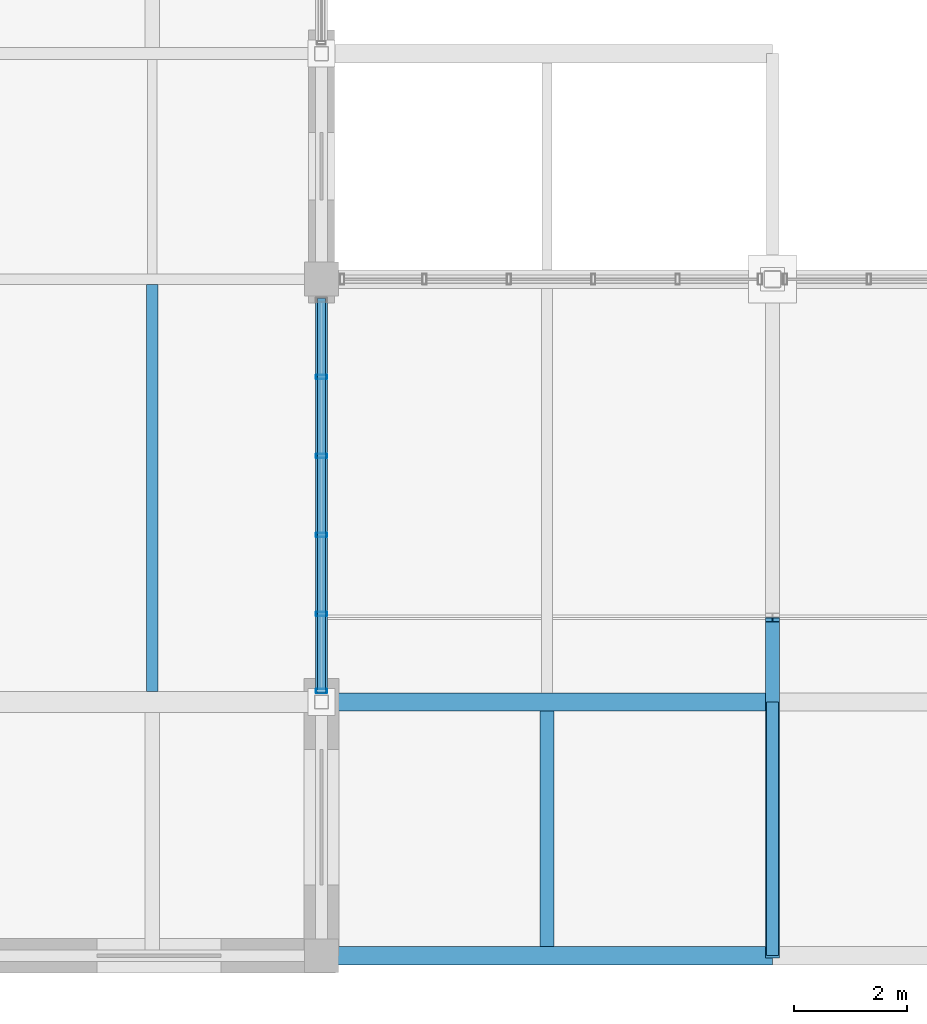
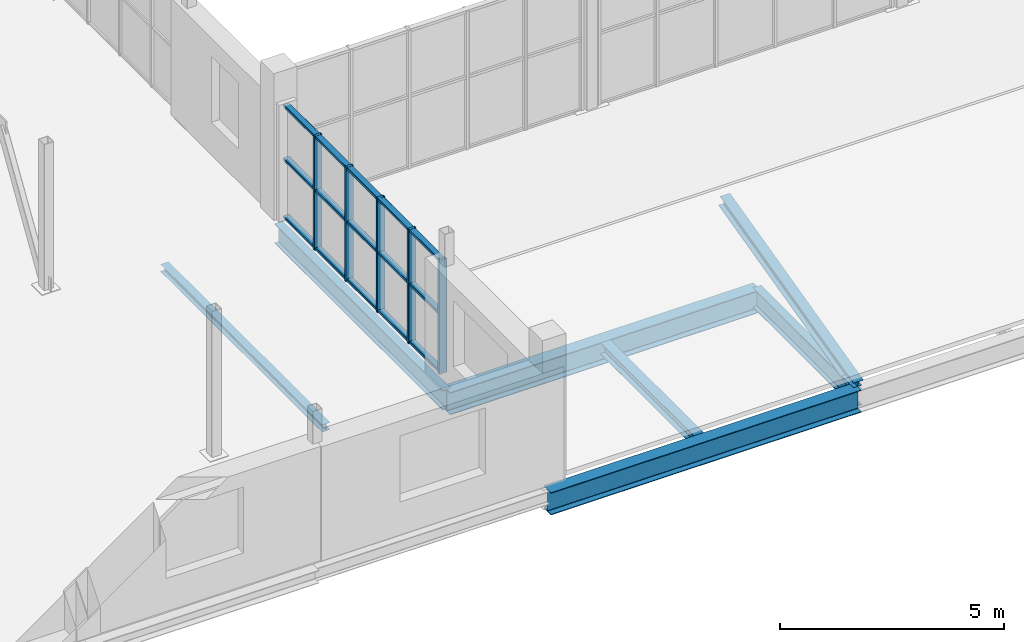
# One storey, part 19 of 96: 9 members, 6 beams, 1 element without a shape of its own.
"""IFC4 building model written with IfcOpenShell, lengths in metres."""

from ifc_helpers import new_model, si_unit, direction, frame, origin, origin_2d, place, context, subcontext, project, spatial, hollow_rectangle, i_section, extrude, material, material_profile, profile_set, type_object, element, aggregate, save


model = new_model("IFC4")

# Units and contexts
model_context = context("Model", 3, precision=1e-05, world=origin(), true_north=direction((0.0, 1.0)))
body_context = subcontext(model_context, "Body", "Model", "MODEL_VIEW")
ifc_project = project(units=[si_unit("LENGTHUNIT", "METRE"), si_unit("AREAUNIT", "SQUARE_METRE"), si_unit("VOLUMEUNIT", "CUBIC_METRE"), si_unit("PLANEANGLEUNIT", "RADIAN"), si_unit("MASSUNIT", "GRAM", prefix="KILO")], contexts=[model_context])

# Site, building, storey
site_placement = place(None, origin())
site = spatial("IfcSite", under=ifc_project, at=site_placement, CompositionType="ELEMENT")
building_placement = place(site_placement, origin())
building = spatial("IfcBuilding", under=site, at=building_placement, Name="Verrall Gate Interchange", CompositionType="ELEMENT")
storey_placement = place(building_placement, frame((0.0, 0.0, 11.39990234375)))
storey = spatial("IfcBuildingStorey", under=building, at=storey_placement, Name="L03", CompositionType="ELEMENT", Elevation=11.39990234375)

# Beams
ifc_material_1 = material(Name="Structural Steel CSA G40.21 350WT Cat 4", Category="steel")
ifc_material_profile_1 = material_profile(ifc_material_1, i_section(OverallWidth=0.323974609375, OverallDepth=0.611083984375, WebThickness=0.0126953125, FlangeThickness=0.01904296875, FilletRadius=0.014892578125, at=origin_2d()), Name="W610x155")
ifc_profile_set_1 = profile_set([ifc_material_profile_1], Name="Structural Steel CSA G40.21 350WT Cat 4")
beam_type_1 = type_object("IfcBeamType", Name="B-08 Structural Beam W610x155", PredefinedType="BEAM", material=ifc_profile_set_1)
for number, where, z_axis, x_axis, name in (
    (1, (36.0, 0.0, -0.635498046875), (1.0, 0.0, 0.0), (0.0, 1.0, 0.0), "L03 Girder BM-L03-1981 (B-08)"),
    (2, (36.0, 4.5, -0.635498046875), (1.0, 0.0, 0.0), (0.0, 1.0, 0.0), "L03 Girder BM-L03-1997 (B-08)"),
):
    element("IfcBeam", number, at=place(storey_placement, frame(where, z_axis=z_axis, x_axis=x_axis)), inside=storey, type_object=beam_type_1, Name=name, PredefinedType="BEAM", context=body_context, shape_type="SweptSolid", body=[
        extrude(i_section(OverallWidth=0.323974609375, OverallDepth=0.611083984375, WebThickness=0.0126953125, FlangeThickness=0.01904296875, FilletRadius=0.014892578125, at=origin_2d()), origin(), (0.0, 0.0, 1.0), 8.0),
    ])
ifc_material_2 = material(Name="Structural Steel CSA G40.21 350W", Category="steel")
ifc_material_profile_2 = material_profile(ifc_material_2, i_section(OverallWidth=0.2109375, OverallDepth=0.5390625, WebThickness=0.01171875, FlangeThickness=0.018798828125, FilletRadius=0.013916015625, at=origin_2d()), Name="W530x109")
ifc_profile_set_2 = profile_set([ifc_material_profile_2], Name="Structural Steel CSA G40.21 350W")
beam_type_2 = type_object("IfcBeamType", Name="B-10 Structural Beam W530x109", PredefinedType="BEAM", material=ifc_profile_set_2)
beam_1_placement = place(storey_placement, frame((36.0, 4.5, -0.599365234375), z_axis=(0.0, 1.0, 0.0), x_axis=(-1.0, 0.0, 0.0)))
element("IfcBeam", 3, at=beam_1_placement, inside=storey, type_object=beam_type_2, Name="L03 Girder BM-L03-2259 (B-10)", PredefinedType="BEAM", context=body_context, shape_type="SweptSolid", body=[
    extrude(i_section(OverallWidth=0.2109375, OverallDepth=0.5390625, WebThickness=0.01171875, FlangeThickness=0.018798828125, FilletRadius=0.013916015625, at=origin_2d()), origin(), (0.0, 0.0, 1.0), 7.5),
])
beam_2_placement = place(storey_placement, frame((44.0, 0.0, -0.599365234375), z_axis=(0.0, 1.0, 0.0), x_axis=(-1.0, 0.0, 0.0)))
element("IfcBeam", 4, at=beam_2_placement, inside=storey, type_object=beam_type_2, Name="L03 Girder BM-L03-2272 (B-10)", PredefinedType="BEAM", context=body_context, shape_type="SweptSolid", body=[
    extrude(i_section(OverallWidth=0.2109375, OverallDepth=0.5390625, WebThickness=0.01171875, FlangeThickness=0.018798828125, FilletRadius=0.013916015625, at=origin_2d()), origin(), (0.0, 0.0, 1.0), 4.5),
])

# Curtain wall, members
ifc_material_3 = material(Name="Thermally Broken Anodized Aluminium Curtain Wall Framing", Category="aluminium")
curtain_wall_type = type_object("IfcCurtainWallType", Name="CW-30 Unitized Curtain Wall 7009x3110", PredefinedType="NOTDEFINED", material=ifc_material_3)
curtain_wall_placement = place(storey_placement, origin())
curtain_wall = element("IfcCurtainWall", 5, at=curtain_wall_placement, inside=storey, type_object=curtain_wall_type, Name="L03 Unitized Curtain Wall CW-L03-103", PredefinedType="NOTDEFINED")
ifc_material_4 = material(Name="Thermally Broken Anodized Aluminium Curtain Wall Framing", Category="aluminium")
ifc_material_profile_3 = material_profile(ifc_material_4, hollow_rectangle(XDim=0.074951171875, YDim=0.199951171875, WallThickness=0.0048828125, InnerFilletRadius=0.0048828125, OuterFilletRadius=0.010009765625, at=origin_2d()), Name="CWM200x75x5")
ifc_profile_set_3 = profile_set([ifc_material_profile_3], Name="Thermally Broken Anodized Aluminium Curtain Wall Framing")
member_type_1 = type_object("IfcMemberType", Name="CM-02 Curtain Mullion CWM200x75x5", PredefinedType="MULLION", material=ifc_profile_set_3)
member_1_placement = place(storey_placement, frame((36.0, 4.696533203125, 0.0), z_axis=(0.0, 0.0, 1.0), x_axis=(0.0, 1.0, 0.0)))
member_1 = element("IfcMember", 6, at=member_1_placement, type_object=member_type_1, Name="CW-L03-103 Mullion 1", PredefinedType="MULLION", context=body_context, shape_type="SweptSolid", body=[
    extrude(hollow_rectangle(XDim=0.074951171875, YDim=0.199951171875, WallThickness=0.0048828125, InnerFilletRadius=0.0048828125, OuterFilletRadius=0.010009765625, at=origin_2d()), origin(), (0.0, 0.0, 1.0), 3.110107421875),
])
member_2_placement = place(storey_placement, frame((36.0, 6.060791015625, 0.0), z_axis=(0.0, 0.0, 1.0), x_axis=(0.0, 1.0, 0.0)))
member_2 = element("IfcMember", 7, at=member_2_placement, type_object=member_type_1, Name="CW-L03-103 Mullion 2", PredefinedType="MULLION", context=body_context, shape_type="SweptSolid", body=[
    extrude(hollow_rectangle(XDim=0.074951171875, YDim=0.199951171875, WallThickness=0.0048828125, InnerFilletRadius=0.0048828125, OuterFilletRadius=0.010009765625, at=origin_2d()), origin(), (0.0, 0.0, 1.0), 3.110107421875),
])
member_3_placement = place(storey_placement, frame((36.0, 7.462646484375, 0.0), z_axis=(0.0, 0.0, 1.0), x_axis=(0.0, 1.0, 0.0)))
member_3 = element("IfcMember", 8, at=member_3_placement, type_object=member_type_1, Name="CW-L03-103 Mullion 3", PredefinedType="MULLION", context=body_context, shape_type="SweptSolid", body=[
    extrude(hollow_rectangle(XDim=0.074951171875, YDim=0.199951171875, WallThickness=0.0048828125, InnerFilletRadius=0.0048828125, OuterFilletRadius=0.010009765625, at=origin_2d()), origin(), (0.0, 0.0, 1.0), 3.110107421875),
])
member_4_placement = place(storey_placement, frame((36.0, 8.864501953125, 0.0), z_axis=(0.0, 0.0, 1.0), x_axis=(0.0, 1.0, 0.0)))
member_4 = element("IfcMember", 9, at=member_4_placement, type_object=member_type_1, Name="CW-L03-103 Mullion 4", PredefinedType="MULLION", context=body_context, shape_type="SweptSolid", body=[
    extrude(hollow_rectangle(XDim=0.074951171875, YDim=0.199951171875, WallThickness=0.0048828125, InnerFilletRadius=0.0048828125, OuterFilletRadius=0.010009765625, at=origin_2d()), origin(), (0.0, 0.0, 1.0), 3.110107421875),
])
member_5_placement = place(storey_placement, frame((36.0, 10.26611328125, 0.0), z_axis=(0.0, 0.0, 1.0), x_axis=(0.0, 1.0, 0.0)))
member_5 = element("IfcMember", 10, at=member_5_placement, type_object=member_type_1, Name="CW-L03-103 Mullion 5", PredefinedType="MULLION", context=body_context, shape_type="SweptSolid", body=[
    extrude(hollow_rectangle(XDim=0.074951171875, YDim=0.199951171875, WallThickness=0.0048828125, InnerFilletRadius=0.0048828125, OuterFilletRadius=0.010009765625, at=origin_2d()), origin(), (0.0, 0.0, 1.0), 3.110107421875),
])
ifc_material_5 = material(Name="Thermally Broken Anodized Aluminium Curtain Wall Framing", Category="aluminium")
ifc_material_profile_4 = material_profile(ifc_material_5, hollow_rectangle(XDim=0.14990234375, YDim=0.074951171875, WallThickness=0.00439453125, InnerFilletRadius=0.00439453125, OuterFilletRadius=0.009033203125, at=origin_2d()), Name="CWT150x75x4.5")
ifc_profile_set_4 = profile_set([ifc_material_profile_4], Name="Thermally Broken Anodized Aluminium Curtain Wall Framing")
member_type_2 = type_object("IfcMemberType", Name="CT-02 Curtain Transom CWT150x75x4.5", PredefinedType="USERDEFINED", material=ifc_profile_set_4)
member_6_placement = place(storey_placement, frame((36.0, 4.658935546875, 0.03759765625), z_axis=(0.0, 1.0, 0.0), x_axis=(-1.0, 0.0, 0.0)))
member_6 = element("IfcMember", 11, at=member_6_placement, type_object=member_type_2, Name="CW-L03-103 Transom 1", ObjectType="TRANSOM", PredefinedType="USERDEFINED", context=body_context, shape_type="SweptSolid", body=[
    extrude(hollow_rectangle(XDim=0.14990234375, YDim=0.074951171875, WallThickness=0.00439453125, InnerFilletRadius=0.00439453125, OuterFilletRadius=0.009033203125, at=origin_2d()), origin(), (0.0, 0.0, 1.0), 7.009033203125),
])
member_7_placement = place(storey_placement, frame((36.0, 4.658935546875, 1.6171875), z_axis=(0.0, 1.0, 0.0), x_axis=(-1.0, 0.0, 0.0)))
member_7 = element("IfcMember", 12, at=member_7_placement, type_object=member_type_2, Name="CW-L03-103 Transom 2", ObjectType="TRANSOM", PredefinedType="USERDEFINED", context=body_context, shape_type="SweptSolid", body=[
    extrude(hollow_rectangle(XDim=0.14990234375, YDim=0.074951171875, WallThickness=0.00439453125, InnerFilletRadius=0.00439453125, OuterFilletRadius=0.009033203125, at=origin_2d()), origin(), (0.0, 0.0, 1.0), 7.009033203125),
])
member_8_placement = place(storey_placement, frame((36.0, 4.658935546875, 3.072509765625), z_axis=(0.0, 1.0, 0.0), x_axis=(-1.0, 0.0, 0.0)))
member_8 = element("IfcMember", 13, at=member_8_placement, type_object=member_type_2, Name="CW-L03-103 Transom 3", ObjectType="TRANSOM", PredefinedType="USERDEFINED", context=body_context, shape_type="SweptSolid", body=[
    extrude(hollow_rectangle(XDim=0.14990234375, YDim=0.074951171875, WallThickness=0.00439453125, InnerFilletRadius=0.00439453125, OuterFilletRadius=0.009033203125, at=origin_2d()), origin(), (0.0, 0.0, 1.0), 7.009033203125),
])
aggregate(curtain_wall, [member_1, member_2, member_3, member_4, member_5, member_6, member_7, member_8])

# Beams
ifc_material_6 = material(Name="Structural Steel CSA G40.21 350W", Category="steel")
ifc_material_profile_5 = material_profile(ifc_material_6, i_section(OverallWidth=0.25390625, OverallDepth=0.305908203125, WebThickness=0.0087890625, FlangeThickness=0.0146484375, FilletRadius=0.012939453125, at=origin_2d()), Name="W310x79")
ifc_profile_set_5 = profile_set([ifc_material_profile_5], Name="Structural Steel CSA G40.21 350W")
beam_type_3 = type_object("IfcBeamType", Name="J-03 Floor Joist W310x79", PredefinedType="JOIST", material=ifc_profile_set_5)
beam_3_placement = place(storey_placement, frame((40.0, 0.162109375, -0.48291015625), z_axis=(0.0, 1.0, 0.0), x_axis=(-1.0, 0.0, 0.0)))
element("IfcBeam", 14, at=beam_3_placement, inside=storey, type_object=beam_type_3, Name="L03 Secondary Floor Joist JST-L03-2384", PredefinedType="JOIST", context=body_context, shape_type="SweptSolid", body=[
    extrude(i_section(OverallWidth=0.25390625, OverallDepth=0.305908203125, WebThickness=0.0087890625, FlangeThickness=0.0146484375, FilletRadius=0.012939453125, at=origin_2d()), origin(), (0.0, 0.0, 1.0), 4.17578125),
])
ifc_material_7 = material(Name="Structural Steel CSA G40.21 350W", Category="steel")
ifc_material_profile_6 = material_profile(ifc_material_7, i_section(OverallWidth=0.202880859375, OverallDepth=0.202880859375, WebThickness=0.007080078125, FlangeThickness=0.010986328125, FilletRadius=0.010009765625, at=origin_2d()), Name="W200x46")
ifc_profile_set_6 = profile_set([ifc_material_profile_6], Name="Structural Steel CSA G40.21 350W")
beam_type_4 = type_object("IfcBeamType", Name="J-07 Floor Joist W200x46", PredefinedType="JOIST", material=ifc_profile_set_6)
beam_4_placement = place(storey_placement, frame((33.0, 4.6845703125, -0.431396484375), z_axis=(0.0, 1.0, 0.0), x_axis=(-1.0, 0.0, 0.0)))
element("IfcBeam", 15, at=beam_4_placement, inside=storey, type_object=beam_type_4, Name="L03 Secondary Floor Joist JST-L03-2397", PredefinedType="JOIST", context=body_context, shape_type="SweptSolid", body=[
    extrude(i_section(OverallWidth=0.202880859375, OverallDepth=0.202880859375, WebThickness=0.007080078125, FlangeThickness=0.010986328125, FilletRadius=0.010009765625, at=origin_2d()), origin(), (0.0, 0.0, 1.0), 7.219482421875),
])

# Member
ifc_material_8 = material(Name="Structural Steel CSA G40.21 350WT Cat 4", Category="steel")
ifc_material_profile_7 = material_profile(ifc_material_8, i_section(OverallWidth=0.25390625, OverallDepth=0.305908203125, WebThickness=0.0087890625, FlangeThickness=0.0146484375, FilletRadius=0.012939453125, at=origin_2d()), Name="W310x79")
ifc_profile_set_7 = profile_set([ifc_material_profile_7], Name="Structural Steel CSA G40.21 350WT Cat 4")
member_type_3 = type_object("IfcMemberType", Name="RF-03 Folded Roof Rafter W310x79", PredefinedType="RAFTER", material=ifc_profile_set_7)
member_9_placement = place(storey_placement, frame((44.0, 0.0, -0.31982421875), z_axis=(0.0, 0.970524816174, 0.241001205786), x_axis=(-1.0, 0.0, 0.0)))
element("IfcMember", 16, at=member_9_placement, inside=storey, type_object=member_type_3, Name="Portico Roof Rafter S 44", PredefinedType="RAFTER", context=body_context, shape_type="SweptSolid", body=[
    extrude(i_section(OverallWidth=0.25390625, OverallDepth=0.305908203125, WebThickness=0.0087890625, FlangeThickness=0.0146484375, FilletRadius=0.012939453125, at=origin_2d()), origin(), (0.0, 0.0, 1.0), 6.140869140625),
])

save(model, "model.ifc")
